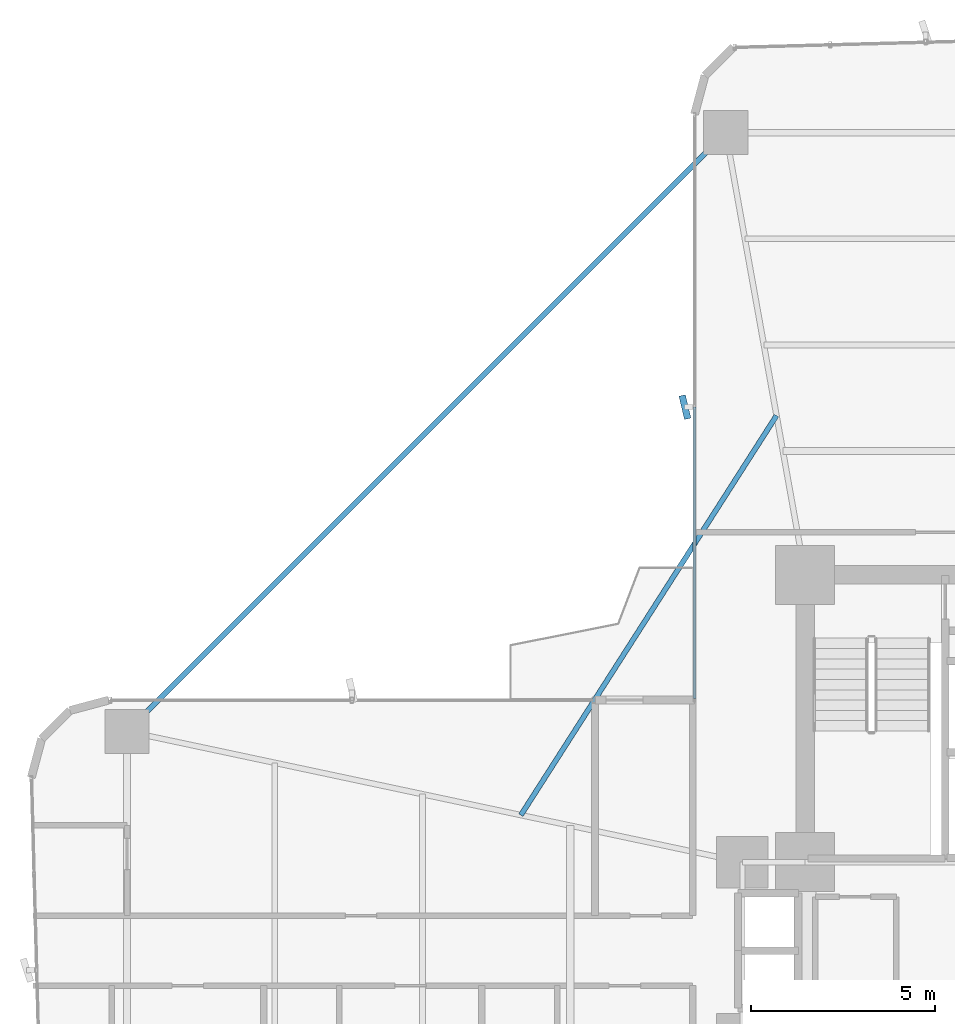
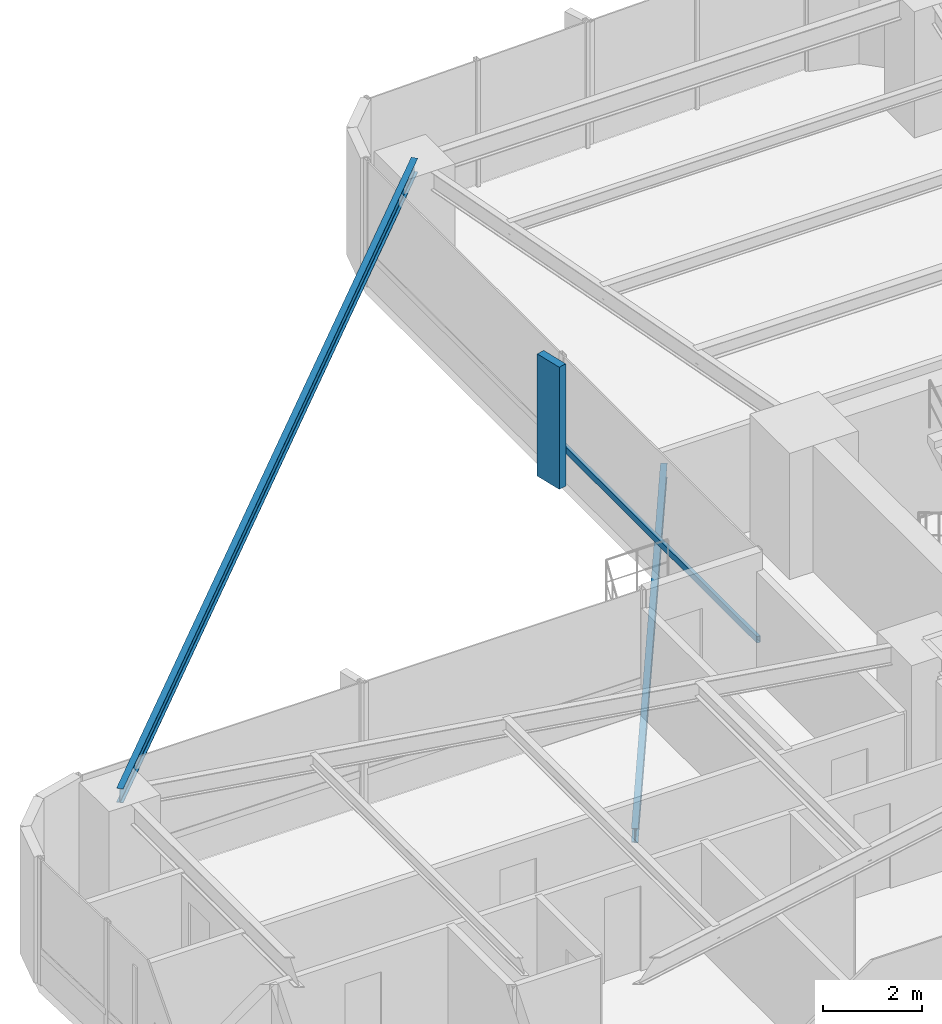
# One storey, part 17 of 25: 2 beams, 2 members, 1 element without a shape of its own.
"""IFC4 building model written with IfcOpenShell, lengths in metres."""

import ifcopenshell
import ifcopenshell.guid

model = None  # the IFC model being written
_history = None  # IfcOwnerHistory: only IFC2X3 demands one
_inside = {}  # id of a spatial element -> (the spatial element, [elements in it])
_under = {}  # id of a project, library or spatial element -> (it, [spatial elements below it])
_declared = {}  # id of a project -> (the project, [libraries it declares])
_typed = {}  # id of a type object -> (the type object, [elements of that type])
_made_of = {}  # id of a material, layer set ... -> (it, [elements and type objects made of it])


def new_model(schema):
    """Start an empty IFC model of exactly this schema.

    Asked for "IFC4X3", IfcOpenShell would pick the latest addendum, in which some entities
    have other attributes; the version numbers below select the first issue.
    IFC2X3 requires an IfcOwnerHistory on every rooted entity: one is made here for all.
    """
    global model, _history
    if schema == "IFC4X3":
        model = ifcopenshell.file(schema_version=(4, 3, 0, 0))
    else:
        model = ifcopenshell.file(schema=schema)
    _inside.clear()
    _under.clear()
    _declared.clear()
    _typed.clear()
    _made_of.clear()
    _history = None
    if model.schema == "IFC2X3":
        org = make("IfcOrganization", Name="unknown")
        user = make(
            "IfcPersonAndOrganization",
            ThePerson=make("IfcPerson", FamilyName="unknown"),
            TheOrganization=org,
        )
        app = make(
            "IfcApplication",
            ApplicationDeveloper=org,
            Version="unknown",
            ApplicationFullName="unknown",
            ApplicationIdentifier="unknown",
        )
        _history = make(
            "IfcOwnerHistory",
            OwningUser=user,
            OwningApplication=app,
            ChangeAction="ADDED",
            CreationDate=0,
        )
    return model


def make(cls, **values):
    """One entity of the class cls with the attributes given. An attribute that is None is left unset."""
    return model.create_entity(
        cls, **{name: value for name, value in values.items() if value is not None}
    )


def rooted(cls, **values):
    """An entity with a GlobalId (a new one), such as an element, a storey or a relation."""
    return make(cls, GlobalId=ifcopenshell.guid.new(), OwnerHistory=_history, **values)


def si_unit(unit_type, name, prefix=None):
    """IfcSIUnit, for example si_unit("LENGTHUNIT", "METRE", prefix="MILLI")."""
    return make("IfcSIUnit", UnitType=unit_type, Prefix=prefix, Name=name)


def assignment(units):
    """IfcUnitAssignment: the units of a project."""
    return None if units is None else make("IfcUnitAssignment", Units=units)


def point(xyz):
    """IfcCartesianPoint."""
    return None if xyz is None else make("IfcCartesianPoint", Coordinates=xyz)


def direction(xyz):
    """IfcDirection."""
    return None if xyz is None else make("IfcDirection", DirectionRatios=xyz)


def frame(location, z_axis=None, x_axis=None):
    """IfcAxis2Placement3D, a coordinate frame: its origin and axes. An axis left out is left unset."""
    return make(
        "IfcAxis2Placement3D",
        Location=point(location),
        Axis=direction(z_axis),
        RefDirection=direction(x_axis),
    )


def frame_2d(location, x_axis=None):
    """IfcAxis2Placement2D, a coordinate frame in the plane: its origin and x axis."""
    return make(
        "IfcAxis2Placement2D", Location=point(location), RefDirection=direction(x_axis)
    )


def origin():
    """The frame at (0, 0, 0) with its axes left unset."""
    return frame((0.0, 0.0, 0.0))


def origin_2d():
    """The frame at (0, 0) in the plane with its x axis left unset."""
    return frame_2d((0.0, 0.0))


def place(relative_to, where):
    """IfcLocalPlacement: puts the frame where relative to a parent placement (None: the world)."""
    return make(
        "IfcLocalPlacement", PlacementRelTo=relative_to, RelativePlacement=where
    )


def context(
    kind, dimensions, precision=None, world=None, true_north=None, identifier=None
):
    """IfcGeometricRepresentationContext, for example the 3D "Model" context."""
    return make(
        "IfcGeometricRepresentationContext",
        ContextIdentifier=identifier,
        ContextType=kind,
        CoordinateSpaceDimension=dimensions,
        Precision=precision,
        WorldCoordinateSystem=world,
        TrueNorth=true_north,
    )


def subcontext(parent, identifier, kind, view, scale=None):
    """IfcGeometricRepresentationSubContext, for example "Body" below "Model"."""
    return make(
        "IfcGeometricRepresentationSubContext",
        ContextIdentifier=identifier,
        ContextType=kind,
        ParentContext=parent,
        TargetScale=scale,
        TargetView=view,
    )


def project(units=None, contexts=None):
    """IfcProject with its units and contexts."""
    return rooted(
        "IfcProject",
        Name="project",
        RepresentationContexts=contexts,
        UnitsInContext=assignment(units),
    )


def spatial(cls, under=None, at=None, **own):
    """A site, building, storey or space (cls), placed at a placement, below another one or the project."""
    s = rooted(cls, ObjectPlacement=at, **own)
    if under is not None:
        _under.setdefault(under.id(), (under, []))[1].append(s)
    return s


def profile(cls, at=None, kind="AREA", **sizes):
    """A parametric profile (cls). Its sizes go by their IFC names, for example OverallWidth=200.0."""
    return make(cls, ProfileType=kind, Position=at, **sizes)


def rectangle(**sizes):
    """IfcRectangleProfileDef."""
    return profile("IfcRectangleProfileDef", **sizes)


def hollow_rectangle(**sizes):
    """IfcRectangleHollowProfileDef."""
    return profile("IfcRectangleHollowProfileDef", **sizes)


def i_section(**sizes):
    """IfcIShapeProfileDef."""
    return profile("IfcIShapeProfileDef", **sizes)


def extrude(swept, where, along, depth):
    """IfcExtrudedAreaSolid: the profile swept, set in the frame where, extruded along a direction by depth."""
    return make(
        "IfcExtrudedAreaSolid",
        SweptArea=swept,
        Position=where,
        ExtrudedDirection=direction(along),
        Depth=depth,
    )


def shape(context_of_items, identifier, shape_type, items):
    """IfcShapeRepresentation: the items that make up one representation, for example the "Body"."""
    return make(
        "IfcShapeRepresentation",
        ContextOfItems=context_of_items,
        RepresentationIdentifier=identifier,
        RepresentationType=shape_type,
        Items=items,
    )


def source(mapping_origin, context_of_items, identifier, shape_type, items):
    """IfcRepresentationMap: a shape defined once, which mapped items show again and again."""
    return make(
        "IfcRepresentationMap",
        MappingOrigin=mapping_origin,
        MappedRepresentation=shape(context_of_items, identifier, shape_type, items),
    )


def transform(
    local_origin,
    x_axis=None,
    y_axis=None,
    z_axis=None,
    scale=None,
    scale2=None,
    scale3=None,
    uniform=True,
):
    """IfcCartesianTransformationOperator3D, or its non-uniform kind. x_axis, y_axis, z_axis: its Axis1, 2, 3."""
    if uniform:
        return make(
            "IfcCartesianTransformationOperator3D",
            Axis1=direction(x_axis),
            Axis2=direction(y_axis),
            LocalOrigin=point(local_origin),
            Scale=scale,
            Axis3=direction(z_axis),
        )
    return make(
        "IfcCartesianTransformationOperator3DnonUniform",
        Axis1=direction(x_axis),
        Axis2=direction(y_axis),
        LocalOrigin=point(local_origin),
        Scale=scale,
        Axis3=direction(z_axis),
        Scale2=scale2,
        Scale3=scale3,
    )


def mapped(mapping_source, mapping_target):
    """IfcMappedItem: shows the shape of a source again, moved by a transform."""
    return make(
        "IfcMappedItem", MappingSource=mapping_source, MappingTarget=mapping_target
    )


def material(Name=None, Category=None):
    """IfcMaterial."""
    return make("IfcMaterial", Name=Name, Category=Category)


def material_profile(
    of_material, cross_section, Name=None, Category=None, Priority=None
):
    """IfcMaterialProfile: a cross section and its material."""
    return make(
        "IfcMaterialProfile",
        Name=Name,
        Material=of_material,
        Profile=cross_section,
        Priority=Priority,
        Category=Category,
    )


def profile_set(profiles, Name=None, composite=None):
    """IfcMaterialProfileSet."""
    return make(
        "IfcMaterialProfileSet",
        Name=Name,
        MaterialProfiles=profiles,
        CompositeProfile=composite,
    )


def made_of(thing, what):
    """Note that an element or type object is made of a material, layer set ...; save() writes the relation."""
    if what is not None:
        _made_of.setdefault(what.id(), (what, []))[1].append(thing)
    return thing


def type_object(cls, material=None, **own):
    """A type object (cls), such as IfcWallType, which elements share."""
    return made_of(rooted(cls, **own), material)


def element(
    cls,
    number,
    at=None,
    inside=None,
    cuts=None,
    type_object=None,
    material=None,
    context=None,
    identifier="Body",
    shape_type=None,
    held_by="IfcProductDefinitionShape",
    body=None,
    shapes=None,
    **own,
):
    """One element of the class cls, such as IfcWall. Its Tag is "e" and its number.

    at: its placement. inside: the storey or other place that contains it. cuts: it is an
    opening in that element (IfcRelVoidsElement). A single representation is given by context,
    identifier, shape_type and body (its items); several are given by shapes. held_by: the class
    of the entity that holds the representations. save() writes the other relations.
    """
    e = rooted(cls, Tag="e%d" % number, ObjectPlacement=at, **own)
    if body is not None:
        shapes = [shape(context, identifier, shape_type, body)]
    if shapes is not None:
        e.Representation = make(held_by, Representations=shapes)
    if inside is not None:
        _inside.setdefault(inside.id(), (inside, []))[1].append(e)
    if cuts is not None:
        rooted(
            "IfcRelVoidsElement", RelatingBuildingElement=cuts, RelatedOpeningElement=e
        )
    if type_object is not None:
        _typed.setdefault(type_object.id(), (type_object, []))[1].append(e)
    return made_of(e, material)


def aggregate(whole, parts):
    """IfcRelAggregates: a whole, such as a stair, and the parts it consists of."""
    return rooted("IfcRelAggregates", RelatingObject=whole, RelatedObjects=parts)


def save(model, path):
    """Write the relations noted so far, then the file.

    IfcRelAggregates (storeys below a building ...), IfcRelContainedInSpatialStructure (elements
    in a storey), IfcRelDefinesByType, IfcRelAssociatesMaterial and IfcRelDeclares: one each for
    every whole, place, type object, material and project.
    """
    for whole, parts in _under.values():
        aggregate(whole, parts)
    for where, things in _inside.values():
        rooted(
            "IfcRelContainedInSpatialStructure",
            RelatedElements=things,
            RelatingStructure=where,
        )
    for kind, things in _typed.values():
        rooted("IfcRelDefinesByType", RelatedObjects=things, RelatingType=kind)
    for what, things in _made_of.values():
        rooted("IfcRelAssociatesMaterial", RelatedObjects=things, RelatingMaterial=what)
    for by, libraries in _declared.values():
        rooted("IfcRelDeclares", RelatingContext=by, RelatedDefinitions=libraries)
    model.write(path)


model = new_model("IFC4")

# Units and contexts
model_context = context("Model", 3, precision=1e-05, world=origin(), true_north=direction((0.0, 1.0)))
body_context = subcontext(model_context, "Body", "Model", "MODEL_VIEW")
ifc_project = project(units=[si_unit("LENGTHUNIT", "METRE"), si_unit("AREAUNIT", "SQUARE_METRE"), si_unit("VOLUMEUNIT", "CUBIC_METRE"), si_unit("PLANEANGLEUNIT", "RADIAN"), si_unit("MASSUNIT", "GRAM", prefix="KILO")], contexts=[model_context])

# Site, building, storey
site_placement = place(None, origin())
site = spatial("IfcSite", under=ifc_project, at=site_placement, CompositionType="ELEMENT")
building_placement = place(site_placement, origin())
building = spatial("IfcBuilding", under=site, at=building_placement, Name="Sahyath Konkavel Grand Hotel", CompositionType="ELEMENT")
storey_placement = place(building_placement, frame((0.0, 0.0, 33.14990234375)))
storey = spatial("IfcBuildingStorey", under=building, at=storey_placement, Name="L08", CompositionType="ELEMENT", Elevation=33.14990234375)

# Beam
ifc_material_1 = material(Name="Steel E350", Category="steel")
ifc_material_profile_1 = material_profile(ifc_material_1, i_section(OverallWidth=0.139892578125, OverallDepth=0.35009765625, WebThickness=0.008056640625, FlangeThickness=0.01416015625, FilletRadius=0.013916015625, at=origin_2d()), Name="ISMB 350")
ifc_profile_set_1 = profile_set([ifc_material_profile_1], Name="Steel E350")
beam_type_1 = type_object("IfcBeamType", Name="BM-ISMB350", PredefinedType="BEAM", material=ifc_profile_set_1)
shared_shape_1 = source(origin(), body_context, "Body", "SweptSolid", [
    extrude(i_section(OverallWidth=0.139892578125, OverallDepth=0.35009765625, WebThickness=0.008056640625, FlangeThickness=0.01416015625, FilletRadius=0.013916015625, at=origin_2d()), origin(), (0.0, 0.0, 1.0), 22.98095703125),
])
beam_1_placement = place(storey_placement, frame((-5.949951171875, 22.199951171875, 2.93505859375), z_axis=(-0.707106781187, -0.707106781187, 0.0), x_axis=(0.707106781187, -0.707106781187, 0.0)))
element("IfcBeam", 1, at=beam_1_placement, inside=storey, type_object=beam_type_1, Name="L08 Re-Entrant Tie Beam NW", PredefinedType="BEAM", context=body_context, shape_type="MappedRepresentation", body=[
    mapped(shared_shape_1, transform((0.0, 0.0, 0.0), scale=1.0)),
])

# Curtain wall, members
ifc_material_2 = material(Name="Anodised Bronze Aluminium & Low-E Glazing", Category="aluminium")
curtain_wall_type = type_object("IfcCurtainWallType", Name="CW-ZONE1", PredefinedType="NOTDEFINED", material=ifc_material_2)
curtain_wall_placement = place(storey_placement, origin())
curtain_wall = element("IfcCurtainWall", 2, at=curtain_wall_placement, inside=storey, type_object=curtain_wall_type, Name="L08 Unitised Curtain Wall F15", PredefinedType="NOTDEFINED")
ifc_material_3 = material(Name="Warm Buff Sandstone Cladding on Concrete C50/60", Category="masonry")
ifc_material_profile_2 = material_profile(ifc_material_3, rectangle(XDim=0.179931640625, YDim=0.64990234375, at=origin_2d()), Name="FIN 180x650")
ifc_profile_set_2 = profile_set([ifc_material_profile_2], Name="Warm Buff Sandstone Cladding on Concrete C50/60")
member_type_1 = type_object("IfcMemberType", Name="FIN-SANDSTONE-650", PredefinedType="MULLION", material=ifc_profile_set_2)
shared_shape_2 = source(origin(), body_context, "Body", "SweptSolid", [
    extrude(rectangle(XDim=0.179931640625, YDim=0.64990234375, at=origin_2d()), origin(), (0.0, 0.0, 1.0), 3.010009765625),
])
member_1_placement = place(storey_placement, frame((-7.06005859375, 14.75, 0.050048828125), z_axis=(0.0, 0.0, 1.0), x_axis=(0.973138706701, 0.230219585439, 0.0)))
member_1 = element("IfcMember", 3, at=member_1_placement, type_object=member_type_1, Name="L08 Sandstone Vertical Solar Fin FIN F15-1", PredefinedType="MULLION", context=body_context, shape_type="MappedRepresentation", body=[
    mapped(shared_shape_2, transform((0.0, 0.0, 0.0), scale=1.0)),
])
ifc_material_4 = material(Name="Anodised Bronze Aluminium", Category="aluminium")
ifc_material_profile_3 = material_profile(ifc_material_4, hollow_rectangle(XDim=0.080078125, YDim=0.159912109375, WallThickness=0.006103515625, at=origin_2d()), Name="RHS 160x80x6")
ifc_profile_set_3 = profile_set([ifc_material_profile_3], Name="Anodised Bronze Aluminium")
member_type_2 = type_object("IfcMemberType", Name="CW-TRN-160", PredefinedType="USERDEFINED", material=ifc_profile_set_3)
shared_shape_3 = source(origin(), body_context, "Body", "SweptSolid", [
    extrude(hollow_rectangle(XDim=0.080078125, YDim=0.159912109375, WallThickness=0.006103515625, at=origin_2d()), origin(), (0.0, 0.0, 1.0), 7.909912109375),
])
member_2_placement = place(storey_placement, frame((-6.800048828125, 14.75, 0.85009765625), z_axis=(0.0, -1.0, 0.0), x_axis=(1.0, 0.0, 0.0)))
member_2 = element("IfcMember", 4, at=member_2_placement, type_object=member_type_2, Name="L08 Curtain Wall Transom F15-1-spandrel", ObjectType="TRANSOM", PredefinedType="USERDEFINED", context=body_context, shape_type="MappedRepresentation", body=[
    mapped(shared_shape_3, transform((0.0, 0.0, 0.0), scale=1.0)),
])
aggregate(curtain_wall, [member_1, member_2])

# Beam
ifc_material_profile_4 = material_profile(ifc_material_1, i_section(OverallWidth=0.139892578125, OverallDepth=0.35009765625, WebThickness=0.008056640625, FlangeThickness=0.01416015625, FilletRadius=0.013916015625, at=origin_2d()), Name="ISMB 350")
ifc_profile_set_4 = profile_set([ifc_material_profile_4], Name="Steel E350")
beam_type_2 = type_object("IfcBeamType", Name="BM-BALC-CANT", PredefinedType="BEAM", material=ifc_profile_set_4)
shared_shape_4 = source(origin(), body_context, "Body", "SweptSolid", [
    extrude(i_section(OverallWidth=0.139892578125, OverallDepth=0.35009765625, WebThickness=0.008056640625, FlangeThickness=0.01416015625, FilletRadius=0.013916015625, at=origin_2d()), origin(), (0.0, 0.0, 1.0), 12.871826171875),
])
beam_2_placement = place(storey_placement, frame((-4.573974609375, 14.52001953125, -0.414794921875), z_axis=(-0.539003102535, -0.842303778608, 0.0), x_axis=(0.842303778608, -0.539003102535, 0.0)))
element("IfcBeam", 5, at=beam_2_placement, inside=storey, type_object=beam_type_2, Name="L08 Balcony Cantilever Support Beam NW", PredefinedType="BEAM", context=body_context, shape_type="MappedRepresentation", body=[
    mapped(shared_shape_4, transform((0.0, 0.0, 0.0), scale=1.0)),
])

save(model, "model.ifc")
